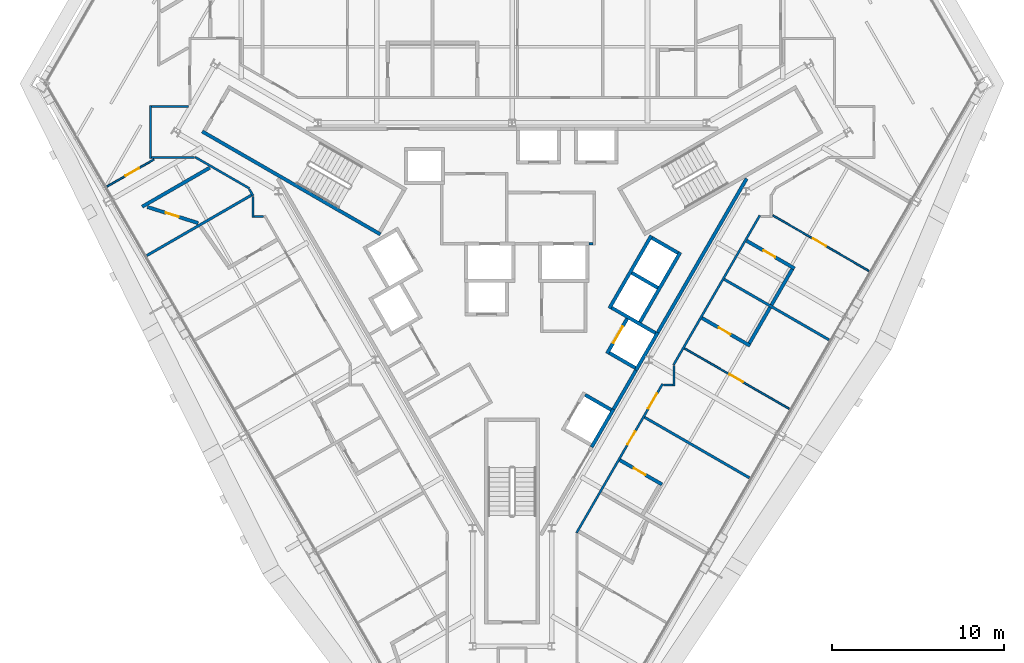
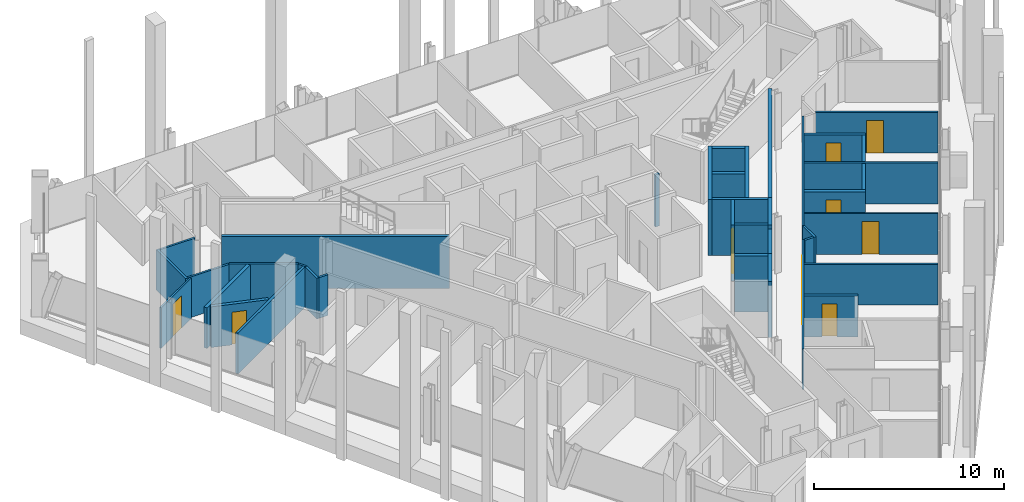
# One storey, part 12 of 17: 38 walls, 10 doors, 10 openings.
"""IFC4 building model written with IfcOpenShell, lengths in metres."""

from ifc_helpers import new_model, si_unit, direction, frame, frame_2d, origin, place, context, subcontext, project, spatial, rectangle, extrude, material, layer, layer_set, type_object, element, fill, save


model = new_model("IFC4")

# Units and contexts
model_context = context("Model", 3, precision=1e-05, world=origin(), true_north=direction((0.0, 1.0)))
body_context = subcontext(model_context, "Body", "Model", "MODEL_VIEW")
ifc_project = project(units=[si_unit("LENGTHUNIT", "METRE"), si_unit("AREAUNIT", "SQUARE_METRE"), si_unit("VOLUMEUNIT", "CUBIC_METRE"), si_unit("PLANEANGLEUNIT", "RADIAN"), si_unit("MASSUNIT", "GRAM", prefix="KILO")], contexts=[model_context])

# Site, building, storey
site_placement = place(None, origin())
site = spatial("IfcSite", under=ifc_project, at=site_placement, CompositionType="ELEMENT")
building_placement = place(site_placement, origin())
building = spatial("IfcBuilding", under=site, at=building_placement, Name="Verrane Prism Tower", CompositionType="ELEMENT")
storey_placement = place(building_placement, frame((0.0, 0.0, 92.800048828125)))
storey = spatial("IfcBuildingStorey", under=building, at=storey_placement, Name="L21", CompositionType="ELEMENT", Elevation=92.800048828125)

# Walls
ifc_material_1 = material(Name="Gypsum board partition", Category="other")
ifc_layer_1 = layer(ifc_material_1, 0.199951171875)
ifc_layer_set_1 = layer_set([ifc_layer_1], Name="CW-200 core boundary wall 2 h")
wall_type_1 = type_object("IfcWallType", Name="CW-200 core boundary wall 2 h", PredefinedType="PARTITIONING", material=ifc_layer_set_1)
wall_1_placement = place(storey_placement, frame((5.906005859375, -7.489990234375, 0.0), z_axis=(0.0, 0.0, 1.0), x_axis=(0.500252727967, 0.865879442048, 0.0)))
element("IfcWall", 1, at=wall_1_placement, inside=storey, type_object=wall_type_1, Name="Core boundary wall CW3-005", PredefinedType="PARTITIONING", context=body_context, shape_type="SweptSolid", body=[
    extrude(rectangle(XDim=2.616943359375, YDim=0.199951171875, at=frame_2d((1.30859375, 0.0))), origin(), (0.0, 0.0, 1.0), 3.349853515625),
])
wall_2_placement = place(storey_placement, frame((8.491943359375, -3.011962890625, 0.0), z_axis=(0.0, 0.0, 1.0), x_axis=(0.499972957231, 0.866041016371, 0.0)))
element("IfcWall", 2, at=wall_2_placement, inside=storey, type_object=wall_type_1, Name="Core boundary wall CW3-007", PredefinedType="PARTITIONING", context=body_context, shape_type="SweptSolid", body=[
    extrude(rectangle(XDim=10.3486328125, YDim=0.199951171875, at=frame_2d((5.17431640625, 0.0))), origin(), (0.0, 0.0, 1.0), 3.349853515625),
])
ifc_material_2 = material(Name="Concrete C40/50", Category="concrete")
ifc_layer_2 = layer(ifc_material_2, 0.199951171875)
ifc_layer_set_2 = layer_set([ifc_layer_2], Name="CW-200 stair core wall concrete C40/50 3 h")
wall_type_2 = type_object("IfcWallType", Name="CW-200 stair core wall concrete C40/50 3 h", PredefinedType="PARTITIONING", material=ifc_layer_set_2)
wall_3_placement = place(storey_placement, frame((-7.67822265625, 2.700927734375, 0.0), z_axis=(0.0, 0.0, 1.0), x_axis=(-0.866026010844, 0.49999894854, 0.0)))
element("IfcWall", 3, at=wall_3_placement, inside=storey, type_object=wall_type_2, Name="Stair 2 enclosure wall", PredefinedType="PARTITIONING", context=body_context, shape_type="SweptSolid", body=[
    extrude(rectangle(XDim=12.0, YDim=0.199951171875, at=frame_2d((6.0, 0.0))), origin(), (0.0, 0.0, 1.0), 3.349853515625),
])
ifc_material_3 = material(Name="Gypsum board shaft wall assembly", Category="other")
ifc_layer_3 = layer(ifc_material_3, 0.199951171875)
ifc_layer_set_3 = layer_set([ifc_layer_3], Name="HW-200 lift shaft wall 2 h")
wall_type_3 = type_object("IfcWallType", Name="HW-200 lift shaft wall 2 h", PredefinedType="PARTITIONING", material=ifc_layer_set_3)
wall_4_placement = place(storey_placement, frame((4.63037109375, -9.69970703125, 0.0), z_axis=(0.0, 0.0, 1.0), x_axis=(0.500062241894, 0.865989465428, 0.0)))
element("IfcWall", 4, at=wall_4_placement, inside=storey, type_object=wall_type_3, Name="Lift shaft wall", PredefinedType="PARTITIONING", context=body_context, shape_type="SweptSolid", body=[
    extrude(rectangle(XDim=2.550048828125, YDim=0.199951171875, at=frame_2d((1.27490234375, 0.0))), origin(), (0.0, 0.0, 1.0), 3.599853515625),
])
wall_5_placement = place(storey_placement, frame((7.215576171875, -5.222412109375, 0.0), z_axis=(0.0, 0.0, 1.0), x_axis=(0.499990435942, 0.866030925526, 0.0)))
element("IfcWall", 5, at=wall_5_placement, inside=storey, type_object=wall_type_3, Name="Lift shaft wall", PredefinedType="PARTITIONING", context=body_context, shape_type="SweptSolid", body=[
    extrude(rectangle(XDim=2.5498046875, YDim=0.199951171875, at=frame_2d((1.27490234375, 0.0))), origin(), (0.0, 0.0, 1.0), 3.599853515625),
])
wall_6_placement = place(storey_placement, frame((7.451171875, -2.4140625, 0.0), z_axis=(0.0, 0.0, 1.0), x_axis=(0.500016218704, 0.866016039709, 0.0)))
element("IfcWall", 6, at=wall_6_placement, inside=storey, type_object=wall_type_3, Name="Lift shaft wall", PredefinedType="PARTITIONING", context=body_context, shape_type="SweptSolid", body=[
    extrude(rectangle(XDim=4.699951171875, YDim=0.199951171875, at=frame_2d((2.35009765625, 0.0))), origin(), (0.0, 0.0, 1.0), 3.599853515625),
])

# Wall, opening, door
wall_7_placement = place(storey_placement, frame((5.52685546875, -4.247314453125, 0.0), z_axis=(0.0, 0.0, 1.0), x_axis=(0.499938297808, 0.866061024631, 0.0)))
wall_7 = element("IfcWall", 7, at=wall_7_placement, inside=storey, type_object=wall_type_3, Name="Lift shaft wall", PredefinedType="PARTITIONING", context=body_context, shape_type="SweptSolid", body=[
    extrude(rectangle(XDim=2.349853515625, YDim=0.199951171875, at=frame_2d((1.1748046875, 0.0))), origin(), (0.0, 0.0, 1.0), 3.599853515625),
])
opening_1_placement = place(wall_7_placement, frame((0.72509765625, 0.0, 0.0)))
opening_1 = element("IfcOpeningElement", 8, at=opening_1_placement, cuts=wall_7, Name="Opening D21507", PredefinedType="OPENING", context=body_context, shape_type="SweptSolid", body=[
    extrude(rectangle(XDim=1.10009765625, YDim=2.10009765625, at=frame_2d((0.550048828125, 1.050048828125))), frame((0.0, 0.10986328125, 0.0), z_axis=(0.0, -1.0, 0.0), x_axis=(1.0, 0.0, 0.0)), (0.0, 0.0, 1.0), 0.219970703125),
])
ifc_material_4 = material(Name="Stainless steel sliding landing door", Category="steel")
door_type_1 = type_object("IfcDoorType", Name="LD-1100x2100 lift landing door FD90 sliding", OperationType="NOTDEFINED", PredefinedType="DOOR", material=ifc_material_4)
door_1_placement = place(opening_1_placement, origin())
door_1 = element("IfcDoor", 9, at=door_1_placement, inside=storey, type_object=door_type_1, Name="Bank A lift 5 landing door", OperationType="SLIDING_TO_LEFT", OverallHeight=2.10009765625, OverallWidth=1.10009765625, PredefinedType="DOOR", context=body_context, shape_type="SweptSolid", body=[
    extrude(rectangle(XDim=1.10009765625, YDim=2.10009765625, at=frame_2d((0.550048828125, 1.050048828125))), frame((0.0, 0.02490234375, 0.0), z_axis=(0.0, -1.0, 0.0), x_axis=(1.0, 0.0, 0.0)), (0.0, 0.0, 1.0), 0.050048828125),
])
fill(opening_1, door_1)

# Walls
wall_8_placement = place(storey_placement, frame((5.66259765625, -1.6123046875, 0.0), z_axis=(0.0, 0.0, 1.0), x_axis=(0.49998122708, 0.866036242063, 0.0)))
element("IfcWall", 10, at=wall_8_placement, inside=storey, type_object=wall_type_3, Name="Lift shaft wall", PredefinedType="PARTITIONING", context=body_context, shape_type="SweptSolid", body=[
    extrude(rectangle(XDim=4.900146484375, YDim=0.199951171875, at=frame_2d((2.4501953125, 0.0))), origin(), (0.0, 0.0, 1.0), 3.599853515625),
])
wall_9_placement = place(storey_placement, frame((9.66455078125, 1.61962890625, 0.0), z_axis=(0.0, 0.0, 1.0), x_axis=(-0.866002029911, 0.500040482552, 0.0)))
element("IfcWall", 11, at=wall_9_placement, inside=storey, type_object=wall_type_3, Name="Lift shaft wall", PredefinedType="PARTITIONING", context=body_context, shape_type="SweptSolid", body=[
    extrude(rectangle(XDim=1.749755859375, YDim=0.199951171875, at=frame_2d((0.875, 0.0))), origin(), (0.0, 0.0, 1.0), 3.599853515625),
])
wall_10_placement = place(storey_placement, frame((8.48974609375, -0.41552734375, 0.0), z_axis=(0.0, 0.0, 1.0), x_axis=(-0.866036909293, 0.499980071345, 0.0)))
element("IfcWall", 12, at=wall_10_placement, inside=storey, type_object=wall_type_3, Name="Lift shaft wall", PredefinedType="PARTITIONING", context=body_context, shape_type="SweptSolid", body=[
    extrude(rectangle(XDim=1.75, YDim=0.199951171875, at=frame_2d((0.875, 0.0))), origin(), (0.0, 0.0, 1.0), 3.599853515625),
])
wall_11_placement = place(storey_placement, frame((8.35400390625, -3.050537109375, 0.0), z_axis=(0.0, 0.0, 1.0), x_axis=(-0.866060182126, 0.499939757307, 0.0)))
element("IfcWall", 13, at=wall_11_placement, inside=storey, type_object=wall_type_3, Name="Lift shaft wall", PredefinedType="PARTITIONING", context=body_context, shape_type="SweptSolid", body=[
    extrude(rectangle(XDim=2.949951171875, YDim=0.199951171875, at=frame_2d((1.47509765625, 0.0))), origin(), (0.0, 0.0, 1.0), 3.599853515625),
])
wall_12_placement = place(storey_placement, frame((7.178955078125, -5.085693359375, 0.0), z_axis=(0.0, 0.0, 1.0), x_axis=(-0.866036909293, 0.499980071345, 0.0)))
element("IfcWall", 14, at=wall_12_placement, inside=storey, type_object=wall_type_3, Name="Lift shaft wall", PredefinedType="PARTITIONING", context=body_context, shape_type="SweptSolid", body=[
    extrude(rectangle(XDim=1.75, YDim=0.199951171875, at=frame_2d((0.875, 0.0))), origin(), (0.0, 0.0, 1.0), 3.599853515625),
])
wall_13_placement = place(storey_placement, frame((5.768798828125, -7.528076171875, 0.0), z_axis=(0.0, 0.0, 1.0), x_axis=(-0.866002029911, 0.500040482552, 0.0)))
element("IfcWall", 15, at=wall_13_placement, inside=storey, type_object=wall_type_3, Name="Lift shaft wall", PredefinedType="PARTITIONING", context=body_context, shape_type="SweptSolid", body=[
    extrude(rectangle(XDim=1.749755859375, YDim=0.199951171875, at=frame_2d((0.875, 0.0))), origin(), (0.0, 0.0, 1.0), 3.599853515625),
])
ifc_material_5 = material(Name="Gypsum board partition", Category="other")
ifc_layer_4 = layer(ifc_material_5, 0.14990234375)
ifc_layer_set_4 = layer_set([ifc_layer_4], Name="LF-150 firefighting lobby wall 1 h")
wall_type_4 = type_object("IfcWallType", Name="LF-150 firefighting lobby wall 1 h", PredefinedType="PARTITIONING", material=ifc_layer_set_4)
wall_14_placement = place(storey_placement, frame((4.47705078125, 2.159912109375, 0.0), z_axis=(0.0, 0.0, 1.0), x_axis=(1.0, 0.0, 0.0)))
element("IfcWall", 16, at=wall_14_placement, inside=storey, type_object=wall_type_4, Name="Firefighting lobby wall LF1-007", PredefinedType="PARTITIONING", context=body_context, shape_type="SweptSolid", body=[
    extrude(rectangle(XDim=0.238037109375, YDim=0.14990234375, at=frame_2d((0.119140625, 0.0))), origin(), (0.0, 0.0, 1.0), 3.349853515625),
])

# Wall, opening, door
ifc_material_6 = material(Name="Gypsum board partition", Category="other")
ifc_layer_5 = layer(ifc_material_6, 0.10009765625)
ifc_layer_set_5 = layer_set([ifc_layer_5], Name="PW-100 room partition")
wall_type_5 = type_object("IfcWallType", Name="PW-100 room partition", PredefinedType="PARTITIONING", material=ifc_layer_set_5)
wall_15_placement = place(storey_placement, frame((-20.88037109375, 7.067138671875, 0.0), z_axis=(0.0, 0.0, 1.0), x_axis=(-0.866127794624, -0.499822611913, 0.0)))
wall_15 = element("IfcWall", 17, at=wall_15_placement, inside=storey, type_object=wall_type_5, Name="Room partition 001", PredefinedType="PARTITIONING", context=body_context, shape_type="SweptSolid", body=[
    extrude(rectangle(XDim=3.165283203125, YDim=0.10009765625, at=frame_2d((1.58251953125, 0.0))), origin(), (0.0, 0.0, 1.0), 2.613037109375),
])
opening_2_placement = place(wall_15_placement, frame((1.01123046875, 0.0, 0.0)))
opening_2 = element("IfcOpeningElement", 18, at=opening_2_placement, cuts=wall_15, Name="Opening D21026", PredefinedType="OPENING", context=body_context, shape_type="SweptSolid", body=[
    extrude(rectangle(XDim=0.89990234375, YDim=2.10009765625, at=frame_2d((0.449951171875, 1.050048828125))), frame((0.0, 0.06005859375, 0.0), z_axis=(0.0, -1.0, 0.0), x_axis=(1.0, 0.0, 0.0)), (0.0, 0.0, 1.0), 0.1201171875),
])
ifc_material_7 = material(Name="Timber veneered door leaf", Category="wood")
door_type_2 = type_object("IfcDoorType", Name="DR-900x2100 single leaf inner", OperationType="NOTDEFINED", PredefinedType="DOOR", material=ifc_material_7)
door_2_placement = place(opening_2_placement, origin())
door_2 = element("IfcDoor", 19, at=door_2_placement, inside=storey, type_object=door_type_2, Name="Suite Living Room door", OperationType="SINGLE_SWING_LEFT", OverallHeight=2.10009765625, OverallWidth=0.89990234375, PredefinedType="DOOR", context=body_context, shape_type="SweptSolid", body=[
    extrude(rectangle(XDim=0.89990234375, YDim=2.10009765625, at=frame_2d((0.449951171875, 1.050048828125))), frame((0.0, 0.02490234375, 0.0), z_axis=(0.0, -1.0, 0.0), x_axis=(1.0, 0.0, 0.0)), (0.0, 0.0, 1.0), 0.050048828125),
])
fill(opening_2, door_2)

wall_16_placement = place(storey_placement, frame((10.037109375, -3.940185546875, 0.0), z_axis=(0.0, 0.0, 1.0), x_axis=(0.866063951978, -0.499933226626, 0.0)))
wall_16 = element("IfcWall", 20, at=wall_16_placement, inside=storey, type_object=wall_type_5, Name="Room partition 072", PredefinedType="PARTITIONING", context=body_context, shape_type="SweptSolid", body=[
    extrude(rectangle(XDim=7.05224609375, YDim=0.10009765625, at=frame_2d((3.526123046875, 0.0))), origin(), (0.0, 0.0, 1.0), 2.613037109375),
])
opening_3_placement = place(wall_16_placement, frame((3.03759765625, 0.0, 0.0)))
opening_3 = element("IfcOpeningElement", 21, at=opening_3_placement, cuts=wall_16, Name="Opening D21007", PredefinedType="OPENING", context=body_context, shape_type="SweptSolid", body=[
    extrude(rectangle(XDim=0.89990234375, YDim=2.10009765625, at=frame_2d((0.449951171875, 1.050048828125))), frame((0.0, 0.06005859375, 0.0), z_axis=(0.0, -1.0, 0.0), x_axis=(1.0, 0.0, 0.0)), (0.0, 0.0, 1.0), 0.1201171875),
])
door_3_placement = place(opening_3_placement, origin())
door_3 = element("IfcDoor", 22, at=door_3_placement, inside=storey, type_object=door_type_2, Name="Suite Living Room door", OperationType="SINGLE_SWING_LEFT", OverallHeight=2.10009765625, OverallWidth=0.89990234375, PredefinedType="DOOR", context=body_context, shape_type="SweptSolid", body=[
    extrude(rectangle(XDim=0.89990234375, YDim=2.10009765625, at=frame_2d((0.449951171875, 1.050048828125))), frame((0.0, 0.02490234375, 0.0), z_axis=(0.0, -1.0, 0.0), x_axis=(1.0, 0.0, 0.0)), (0.0, 0.0, 1.0), 0.050048828125),
])
fill(opening_3, door_3)

wall_17_placement = place(storey_placement, frame((20.786865234375, 0.574951171875, 0.0), z_axis=(0.0, 0.0, 1.0), x_axis=(-0.866012632051, 0.500022120638, 0.0)))
wall_17 = element("IfcWall", 23, at=wall_17_placement, inside=storey, type_object=wall_type_5, Name="Room partition 084", PredefinedType="PARTITIONING", context=body_context, shape_type="SweptSolid", body=[
    extrude(rectangle(XDim=6.464599609375, YDim=0.10009765625, at=frame_2d((3.232421875, 0.0))), origin(), (0.0, 0.0, 1.0), 2.613037109375),
])
opening_4_placement = place(wall_17_placement, frame((2.86572265625, 0.0, 0.0)))
opening_4 = element("IfcOpeningElement", 24, at=opening_4_placement, cuts=wall_17, Name="Opening D21010", PredefinedType="OPENING", context=body_context, shape_type="SweptSolid", body=[
    extrude(rectangle(XDim=0.89990234375, YDim=2.10009765625, at=frame_2d((0.449951171875, 1.050048828125))), frame((0.0, 0.06005859375, 0.0), z_axis=(0.0, -1.0, 0.0), x_axis=(1.0, 0.0, 0.0)), (0.0, 0.0, 1.0), 0.1201171875),
])
door_4_placement = place(opening_4_placement, origin())
door_4 = element("IfcDoor", 25, at=door_4_placement, inside=storey, type_object=door_type_2, Name="Suite Living Room door", OperationType="SINGLE_SWING_LEFT", OverallHeight=2.10009765625, OverallWidth=0.89990234375, PredefinedType="DOOR", context=body_context, shape_type="SweptSolid", body=[
    extrude(rectangle(XDim=0.89990234375, YDim=2.10009765625, at=frame_2d((0.449951171875, 1.050048828125))), frame((0.0, 0.02490234375, 0.0), z_axis=(0.0, -1.0, 0.0), x_axis=(1.0, 0.0, 0.0)), (0.0, 0.0, 1.0), 0.050048828125),
])
fill(opening_4, door_4)

# Walls
ifc_material_8 = material(Name="Gypsum board partition", Category="other")
ifc_layer_6 = layer(ifc_material_8, 0.125)
ifc_layer_set_6 = layer_set([ifc_layer_6], Name="PW-125 corridor wall 1 h")
wall_type_6 = type_object("IfcWallType", Name="PW-125 corridor wall 1 h", PredefinedType="PARTITIONING", material=ifc_layer_set_6)
wall_18_placement = place(storey_placement, frame((-21.0869140625, 7.110595703125, 0.0), z_axis=(0.0, 0.0, 1.0), x_axis=(0.0, 1.0, 0.0)))
element("IfcWall", 26, at=wall_18_placement, inside=storey, type_object=wall_type_6, Name="Corridor wall 005", PredefinedType="PARTITIONING", context=body_context, shape_type="SweptSolid", body=[
    extrude(rectangle(XDim=3.098876953125, YDim=0.125, at=frame_2d((1.54931640625, 0.0))), origin(), (0.0, 0.0, 1.0), 2.613037109375),
])
wall_19_placement = place(storey_placement, frame((-21.02197265625, 7.173095703125, 0.0), z_axis=(0.0, 0.0, 1.0), x_axis=(1.0, 0.0, 0.0)))
element("IfcWall", 27, at=wall_19_placement, inside=storey, type_object=wall_type_6, Name="Corridor wall 006", PredefinedType="PARTITIONING", context=body_context, shape_type="SweptSolid", body=[
    extrude(rectangle(XDim=2.512939453125, YDim=0.125, at=frame_2d((1.25634765625, 0.0))), origin(), (0.0, 0.0, 1.0), 2.613037109375),
])
wall_20_placement = place(storey_placement, frame((-21.02197265625, 10.14697265625, 0.0), z_axis=(0.0, 0.0, 1.0), x_axis=(1.0, 0.0, 0.0)))
element("IfcWall", 28, at=wall_20_placement, inside=storey, type_object=wall_type_6, Name="Corridor wall 007", PredefinedType="PARTITIONING", context=body_context, shape_type="SweptSolid", body=[
    extrude(rectangle(XDim=2.169921875, YDim=0.125, at=frame_2d((1.0849609375, 0.0))), origin(), (0.0, 0.0, 1.0), 2.613037109375),
])
wall_21_placement = place(storey_placement, frame((-18.47802734375, 7.204345703125, 0.0), z_axis=(0.0, 0.0, 1.0), x_axis=(0.866011320536, -0.500024392108, 0.0)))
element("IfcWall", 29, at=wall_21_placement, inside=storey, type_object=wall_type_6, Name="Corridor wall 013", PredefinedType="PARTITIONING", context=body_context, shape_type="SweptSolid", body=[
    extrude(rectangle(XDim=3.662841796875, YDim=0.125, at=frame_2d((1.83154296875, 0.0))), origin(), (0.0, 0.0, 1.0), 2.613037109375),
])
wall_22_placement = place(storey_placement, frame((-15.317626953125, 5.330322265625, 0.0), z_axis=(0.0, 0.0, 1.0), x_axis=(0.499836277606, -0.86611990832, 0.0)))
element("IfcWall", 30, at=wall_22_placement, inside=storey, type_object=wall_type_6, Name="Corridor wall 021", PredefinedType="PARTITIONING", context=body_context, shape_type="SweptSolid", body=[
    extrude(rectangle(XDim=0.433349609375, YDim=0.125, at=frame_2d((0.216796875, 0.0))), origin(), (0.0, 0.0, 1.0), 2.613037109375),
])
wall_23_placement = place(storey_placement, frame((-15.10107421875, 3.6865234375, 0.0), z_axis=(0.0, 0.0, 1.0), x_axis=(0.0, 1.0, 0.0)))
element("IfcWall", 31, at=wall_23_placement, inside=storey, type_object=wall_type_6, Name="Corridor wall 022", PredefinedType="PARTITIONING", context=body_context, shape_type="SweptSolid", body=[
    extrude(rectangle(XDim=1.236083984375, YDim=0.125, at=frame_2d((0.6181640625, 0.0))), origin(), (0.0, 0.0, 1.0), 2.613037109375),
])
wall_24_placement = place(storey_placement, frame((-15.035888671875, 3.7490234375, 0.0), z_axis=(0.0, 0.0, 1.0), x_axis=(1.0, 0.0, 0.0)))
element("IfcWall", 32, at=wall_24_placement, inside=storey, type_object=wall_type_6, Name="Corridor wall 023", PredefinedType="PARTITIONING", context=body_context, shape_type="SweptSolid", body=[
    extrude(rectangle(XDim=0.546875, YDim=0.125, at=frame_2d((0.2734375, 0.0))), origin(), (0.0, 0.0, 1.0), 2.613037109375),
])

# Wall, openings, doors
wall_25_placement = place(storey_placement, frame((8.766357421875, -6.016845703125, 0.0), z_axis=(0.0, 0.0, 1.0), x_axis=(-0.500051472265, -0.865995684219, 0.0)))
wall_25 = element("IfcWall", 33, at=wall_25_placement, inside=storey, type_object=wall_type_6, Name="Corridor wall 059", PredefinedType="PARTITIONING", context=body_context, shape_type="SweptSolid", body=[
    extrude(rectangle(XDim=10.02001953125, YDim=0.125, at=frame_2d((5.010009765625, 0.0))), origin(), (0.0, 0.0, 1.0), 2.613037109375),
])
opening_5_placement = place(wall_25_placement, frame((3.1904296875, 0.0, 0.0)))
opening_5 = element("IfcOpeningElement", 34, at=opening_5_placement, cuts=wall_25, Name="Opening D21004", PredefinedType="OPENING", context=body_context, shape_type="SweptSolid", body=[
    extrude(rectangle(XDim=0.89990234375, YDim=2.10009765625, at=frame_2d((0.449951171875, 1.050048828125))), frame((0.0, 0.072509765625, 0.0), z_axis=(0.0, -1.0, 0.0), x_axis=(1.0, 0.0, 0.0)), (0.0, 0.0, 1.0), 0.14501953125),
])
opening_6_placement = place(wall_25_placement, frame((0.658447265625, 0.0, 0.0)))
opening_6 = element("IfcOpeningElement", 35, at=opening_6_placement, cuts=wall_25, Name="Opening D21006", PredefinedType="OPENING", context=body_context, shape_type="SweptSolid", body=[
    extrude(rectangle(XDim=1.0, YDim=2.10009765625, at=frame_2d((0.5, 1.050048828125))), frame((0.0, 0.072509765625, 0.0), z_axis=(0.0, -1.0, 0.0), x_axis=(1.0, 0.0, 0.0)), (0.0, 0.0, 1.0), 0.14501953125),
])
ifc_material_9 = material(Name="Timber veneered door leaf", Category="wood")
door_type_3 = type_object("IfcDoorType", Name="DR-1000x2100 FD20 single leaf unit", OperationType="NOTDEFINED", PredefinedType="DOOR", material=ifc_material_9)
door_5_placement = place(opening_6_placement, origin())
door_5 = element("IfcDoor", 36, at=door_5_placement, inside=storey, type_object=door_type_3, Name="Suite Living Room door", OperationType="SINGLE_SWING_LEFT", OverallHeight=2.10009765625, OverallWidth=1.0, PredefinedType="DOOR", context=body_context, shape_type="SweptSolid", body=[
    extrude(rectangle(XDim=1.0, YDim=2.10009765625, at=frame_2d((0.5, 1.050048828125))), frame((0.0, 0.02490234375, 0.0), z_axis=(0.0, -1.0, 0.0), x_axis=(1.0, 0.0, 0.0)), (0.0, 0.0, 1.0), 0.050048828125),
])
fill(opening_6, door_5)
ifc_material_10 = material(Name="Timber veneered door leaf", Category="wood")
door_type_4 = type_object("IfcDoorType", Name="DR-900x2100 FD20 single leaf unit", OperationType="NOTDEFINED", PredefinedType="DOOR", material=ifc_material_10)
door_6_placement = place(opening_5_placement, origin())
door_6 = element("IfcDoor", 37, at=door_6_placement, inside=storey, type_object=door_type_4, Name="Guest Room door", OperationType="SINGLE_SWING_LEFT", OverallHeight=2.10009765625, OverallWidth=0.89990234375, PredefinedType="DOOR", context=body_context, shape_type="SweptSolid", body=[
    extrude(rectangle(XDim=0.89990234375, YDim=2.10009765625, at=frame_2d((0.449951171875, 1.050048828125))), frame((0.0, 0.02490234375, 0.0), z_axis=(0.0, -1.0, 0.0), x_axis=(1.0, 0.0, 0.0)), (0.0, 0.0, 1.0), 0.050048828125),
])
fill(opening_5, door_6)

# Walls
wall_26_placement = place(storey_placement, frame((8.820068359375, -6.071044921875, 0.0), z_axis=(0.0, 0.0, 1.0), x_axis=(1.0, 0.0, 0.0)))
element("IfcWall", 38, at=wall_26_placement, inside=storey, type_object=wall_type_6, Name="Corridor wall 069", PredefinedType="PARTITIONING", context=body_context, shape_type="SweptSolid", body=[
    extrude(rectangle(XDim=0.555908203125, YDim=0.125, at=frame_2d((0.27783203125, 0.0))), origin(), (0.0, 0.0, 1.0), 2.613037109375),
])
wall_27_placement = place(storey_placement, frame((9.44091796875, -6.133544921875, 0.0), z_axis=(0.0, 0.0, 1.0), x_axis=(0.0, 1.0, 0.0)))
element("IfcWall", 39, at=wall_27_placement, inside=storey, type_object=wall_type_6, Name="Corridor wall 070", PredefinedType="PARTITIONING", context=body_context, shape_type="SweptSolid", body=[
    extrude(rectangle(XDim=1.200439453125, YDim=0.125, at=frame_2d((0.60009765625, 0.0))), origin(), (0.0, 0.0, 1.0), 2.613037109375),
])
wall_28_placement = place(storey_placement, frame((9.40966796875, -4.902099609375, 0.0), z_axis=(0.0, 0.0, 1.0), x_axis=(0.499971244726, 0.866042005013, 0.0)))
element("IfcWall", 40, at=wall_28_placement, inside=storey, type_object=wall_type_6, Name="Corridor wall 071", PredefinedType="PARTITIONING", context=body_context, shape_type="SweptSolid", body=[
    extrude(rectangle(XDim=10.0517578125, YDim=0.125, at=frame_2d((5.02587890625, 0.0))), origin(), (0.0, 0.0, 1.0), 2.613037109375),
])
ifc_material_11 = material(Name="Gypsum board partition", Category="other")
ifc_layer_7 = layer(ifc_material_11, 0.14990234375)
ifc_layer_set_7 = layer_set([ifc_layer_7], Name="PW-150 demising wall 1 h")
wall_type_7 = type_object("IfcWallType", Name="PW-150 demising wall 1 h", PredefinedType="PARTITIONING", material=ifc_layer_set_7)
wall_29_placement = place(storey_placement, frame((-21.300537109375, 1.464111328125, 0.0), z_axis=(0.0, 0.0, 1.0), x_axis=(0.866055299146, 0.49994821614, 0.0)))
element("IfcWall", 41, at=wall_29_placement, inside=storey, type_object=wall_type_7, Name="Demising wall 004", PredefinedType="PARTITIONING", context=body_context, shape_type="SweptSolid", body=[
    extrude(rectangle(XDim=7.052001953125, YDim=0.14990234375, at=frame_2d((3.52587890625, 0.0))), origin(), (0.0, 0.0, 1.0), 2.613037109375),
])
wall_30_placement = place(storey_placement, frame((7.720458984375, -7.962646484375, 0.0), z_axis=(0.0, 0.0, 1.0), x_axis=(0.865980767462, -0.500077304409, 0.0)))
element("IfcWall", 42, at=wall_30_placement, inside=storey, type_object=wall_type_7, Name="Demising wall 066", PredefinedType="PARTITIONING", context=body_context, shape_type="SweptSolid", body=[
    extrude(rectangle(XDim=7.04736328125, YDim=0.14990234375, at=frame_2d((3.523681640625, 0.0))), origin(), (0.0, 0.0, 1.0), 2.613037109375),
])
wall_31_placement = place(storey_placement, frame((12.362548828125, 0.078369140625, 0.0), z_axis=(0.0, 0.0, 1.0), x_axis=(0.86605175433, -0.499954356739, 0.0)))
element("IfcWall", 43, at=wall_31_placement, inside=storey, type_object=wall_type_7, Name="Demising wall 076", PredefinedType="PARTITIONING", context=body_context, shape_type="SweptSolid", body=[
    extrude(rectangle(XDim=7.047607421875, YDim=0.14990234375, at=frame_2d((3.52392578125, 0.0))), origin(), (0.0, 0.0, 1.0), 2.613037109375),
])

# Wall, opening, door
ifc_material_12 = material(Name="Gypsum board partition", Category="other")
ifc_layer_8 = layer(ifc_material_12, 0.199951171875)
ifc_layer_set_8 = layer_set([ifc_layer_8], Name="PW-200 plumbing wall")
wall_type_8 = type_object("IfcWallType", Name="PW-200 plumbing wall", PredefinedType="PARTITIONING", material=ifc_layer_set_8)
wall_32_placement = place(storey_placement, frame((-21.263427734375, 4.296142578125, 0.0), z_axis=(0.0, 0.0, 1.0), x_axis=(0.95341383314, -0.301665481582, 0.0)))
wall_32 = element("IfcWall", 44, at=wall_32_placement, inside=storey, type_object=wall_type_8, Name="Plumbing wall 002", PredefinedType="PARTITIONING", context=body_context, shape_type="SweptSolid", body=[
    extrude(rectangle(XDim=3.106201171875, YDim=0.199951171875, at=frame_2d((1.55322265625, 0.0))), origin(), (0.0, 0.0, 1.0), 2.613037109375),
])
opening_7_placement = place(wall_32_placement, frame((1.125, 0.0, 0.0)))
opening_7 = element("IfcOpeningElement", 45, at=opening_7_placement, cuts=wall_32, Name="Opening D21027", PredefinedType="OPENING", context=body_context, shape_type="SweptSolid", body=[
    extrude(rectangle(XDim=0.800048828125, YDim=2.10009765625, at=frame_2d((0.39990234375, 1.050048828125))), frame((0.0, 0.10986328125, 0.0), z_axis=(0.0, -1.0, 0.0), x_axis=(1.0, 0.0, 0.0)), (0.0, 0.0, 1.0), 0.219970703125),
])
ifc_material_13 = material(Name="Timber veneered door leaf", Category="wood")
door_type_5 = type_object("IfcDoorType", Name="DR-800x2100 single leaf bath", OperationType="NOTDEFINED", PredefinedType="DOOR", material=ifc_material_13)
door_7_placement = place(opening_7_placement, origin())
door_7 = element("IfcDoor", 46, at=door_7_placement, inside=storey, type_object=door_type_5, Name="En-Suite door", OperationType="SINGLE_SWING_LEFT", OverallHeight=2.10009765625, OverallWidth=0.800048828125, PredefinedType="DOOR", context=body_context, shape_type="SweptSolid", body=[
    extrude(rectangle(XDim=0.800048828125, YDim=2.10009765625, at=frame_2d((0.39990234375, 1.050048828125))), frame((0.0, 0.02490234375, 0.0), z_axis=(0.0, -1.0, 0.0), x_axis=(1.0, 0.0, 0.0)), (0.0, 0.0, 1.0), 0.050048828125),
])
fill(opening_7, door_7)

# Wall
wall_33_placement = place(storey_placement, frame((-21.564697265625, 4.31396484375, 0.0), z_axis=(0.0, 0.0, 1.0), x_axis=(0.866058501026, 0.499942669514, 0.0)))
element("IfcWall", 47, at=wall_33_placement, inside=storey, type_object=wall_type_8, Name="Plumbing wall 003", PredefinedType="PARTITIONING", context=body_context, shape_type="SweptSolid", body=[
    extrude(rectangle(XDim=4.54248046875, YDim=0.199951171875, at=frame_2d((2.271240234375, 0.0))), origin(), (0.0, 0.0, 1.0), 2.613037109375),
])

# Wall, opening, door
wall_34_placement = place(storey_placement, frame((8.732666015625, -11.875, 0.0), z_axis=(0.0, 0.0, 1.0), x_axis=(-0.866048046904, 0.499960778915, 0.0)))
wall_34 = element("IfcWall", 48, at=wall_34_placement, inside=storey, type_object=wall_type_8, Name="Plumbing wall 063", PredefinedType="PARTITIONING", context=body_context, shape_type="SweptSolid", body=[
    extrude(rectangle(XDim=2.837646484375, YDim=0.199951171875, at=frame_2d((1.4189453125, 0.0))), origin(), (0.0, 0.0, 1.0), 2.613037109375),
])
opening_8_placement = place(wall_34_placement, frame((1.10009765625, 0.0, 0.0)))
opening_8 = element("IfcOpeningElement", 49, at=opening_8_placement, cuts=wall_34, Name="Opening D21005", PredefinedType="OPENING", context=body_context, shape_type="SweptSolid", body=[
    extrude(rectangle(XDim=0.800048828125, YDim=2.10009765625, at=frame_2d((0.39990234375, 1.050048828125))), frame((0.0, 0.10986328125, 0.0), z_axis=(0.0, -1.0, 0.0), x_axis=(1.0, 0.0, 0.0)), (0.0, 0.0, 1.0), 0.219970703125),
])
door_8_placement = place(opening_8_placement, origin())
door_8 = element("IfcDoor", 50, at=door_8_placement, inside=storey, type_object=door_type_5, Name="En-Suite door", OperationType="SINGLE_SWING_RIGHT", OverallHeight=2.10009765625, OverallWidth=0.800048828125, PredefinedType="DOOR", context=body_context, shape_type="SweptSolid", body=[
    extrude(rectangle(XDim=0.800048828125, YDim=2.10009765625, at=frame_2d((0.39990234375, 1.050048828125))), frame((0.0, 0.02490234375, 0.0), z_axis=(0.0, -1.0, 0.0), x_axis=(1.0, 0.0, 0.0)), (0.0, 0.0, 1.0), 0.050048828125),
])
fill(opening_8, door_8)

wall_35_placement = place(storey_placement, frame((11.0625, -2.173828125, 0.0), z_axis=(0.0, 0.0, 1.0), x_axis=(0.866078705744, -0.499907666931, 0.0)))
wall_35 = element("IfcWall", 51, at=wall_35_placement, inside=storey, type_object=wall_type_8, Name="Plumbing wall 075", PredefinedType="PARTITIONING", context=body_context, shape_type="SweptSolid", body=[
    extrude(rectangle(XDim=3.23291015625, YDim=0.199951171875, at=frame_2d((1.616455078125, 0.0))), origin(), (0.0, 0.0, 1.0), 2.613037109375),
])
opening_9_placement = place(wall_35_placement, frame((1.132568359375, 0.0, 0.0)))
opening_9 = element("IfcOpeningElement", 52, at=opening_9_placement, cuts=wall_35, Name="Opening D21008", PredefinedType="OPENING", context=body_context, shape_type="SweptSolid", body=[
    extrude(rectangle(XDim=0.800048828125, YDim=2.10009765625, at=frame_2d((0.39990234375, 1.050048828125))), frame((0.0, 0.10986328125, 0.0), z_axis=(0.0, -1.0, 0.0), x_axis=(1.0, 0.0, 0.0)), (0.0, 0.0, 1.0), 0.219970703125),
])
door_9_placement = place(opening_9_placement, origin())
door_9 = element("IfcDoor", 53, at=door_9_placement, inside=storey, type_object=door_type_5, Name="En-Suite door", OperationType="SINGLE_SWING_RIGHT", OverallHeight=2.10009765625, OverallWidth=0.800048828125, PredefinedType="DOOR", context=body_context, shape_type="SweptSolid", body=[
    extrude(rectangle(XDim=0.800048828125, YDim=2.10009765625, at=frame_2d((0.39990234375, 1.050048828125))), frame((0.0, 0.02490234375, 0.0), z_axis=(0.0, -1.0, 0.0), x_axis=(1.0, 0.0, 0.0)), (0.0, 0.0, 1.0), 0.050048828125),
])
fill(opening_9, door_9)

wall_36_placement = place(storey_placement, frame((16.462646484375, 0.714111328125, 0.0), z_axis=(0.0, 0.0, 1.0), x_axis=(-0.86609757561, 0.499874973892, 0.0)))
wall_36 = element("IfcWall", 54, at=wall_36_placement, inside=storey, type_object=wall_type_8, Name="Plumbing wall 079", PredefinedType="PARTITIONING", context=body_context, shape_type="SweptSolid", body=[
    extrude(rectangle(XDim=3.233154296875, YDim=0.199951171875, at=frame_2d((1.61669921875, 0.0))), origin(), (0.0, 0.0, 1.0), 2.613037109375),
])
opening_10_placement = place(wall_36_placement, frame((1.300537109375, 0.0, 0.0)))
opening_10 = element("IfcOpeningElement", 55, at=opening_10_placement, cuts=wall_36, Name="Opening D21011", PredefinedType="OPENING", context=body_context, shape_type="SweptSolid", body=[
    extrude(rectangle(XDim=0.800048828125, YDim=2.10009765625, at=frame_2d((0.39990234375, 1.050048828125))), frame((0.0, 0.10986328125, 0.0), z_axis=(0.0, -1.0, 0.0), x_axis=(1.0, 0.0, 0.0)), (0.0, 0.0, 1.0), 0.219970703125),
])
door_10_placement = place(opening_10_placement, origin())
door_10 = element("IfcDoor", 56, at=door_10_placement, inside=storey, type_object=door_type_5, Name="En-Suite door", OperationType="SINGLE_SWING_RIGHT", OverallHeight=2.10009765625, OverallWidth=0.800048828125, PredefinedType="DOOR", context=body_context, shape_type="SweptSolid", body=[
    extrude(rectangle(XDim=0.800048828125, YDim=2.10009765625, at=frame_2d((0.39990234375, 1.050048828125))), frame((0.0, 0.02490234375, 0.0), z_axis=(0.0, -1.0, 0.0), x_axis=(1.0, 0.0, 0.0)), (0.0, 0.0, 1.0), 0.050048828125),
])
fill(opening_10, door_10)

# Walls
wall_37_placement = place(storey_placement, frame((13.825927734375, -3.6533203125, 0.0), z_axis=(0.0, 0.0, 1.0), x_axis=(0.499719542643, 0.866187265377, 0.0)))
element("IfcWall", 57, at=wall_37_placement, inside=storey, type_object=wall_type_8, Name="Plumbing wall 080", PredefinedType="PARTITIONING", context=body_context, shape_type="SweptSolid", body=[
    extrude(rectangle(XDim=2.42041015625, YDim=0.199951171875, at=frame_2d((1.210205078125, 0.0))), origin(), (0.0, 0.0, 1.0), 2.613037109375),
])
wall_38_placement = place(storey_placement, frame((15.115478515625, -1.4189453125, 0.0), z_axis=(0.0, 0.0, 1.0), x_axis=(0.50002218001, 0.866012597771, 0.0)))
element("IfcWall", 58, at=wall_38_placement, inside=storey, type_object=wall_type_8, Name="Plumbing wall 082", PredefinedType="PARTITIONING", context=body_context, shape_type="SweptSolid", body=[
    extrude(rectangle(XDim=2.4208984375, YDim=0.199951171875, at=frame_2d((1.21044921875, 0.0))), origin(), (0.0, 0.0, 1.0), 2.613037109375),
])

save(model, "model.ifc")
